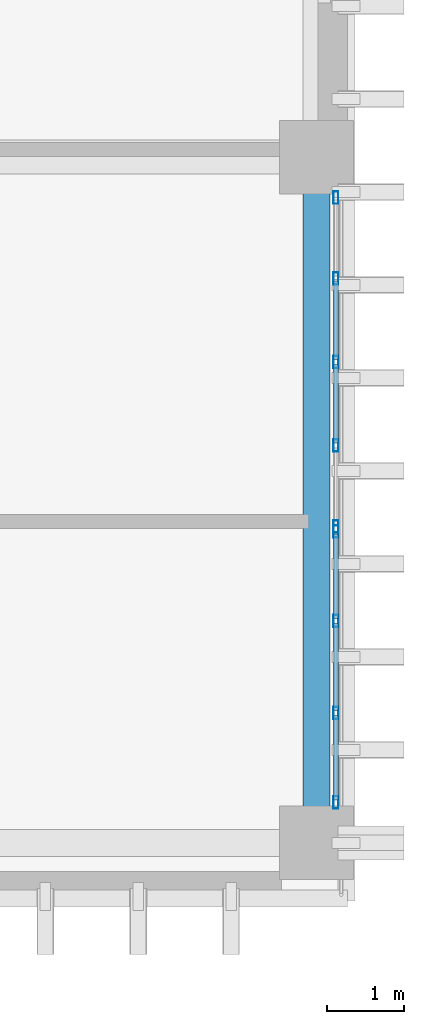
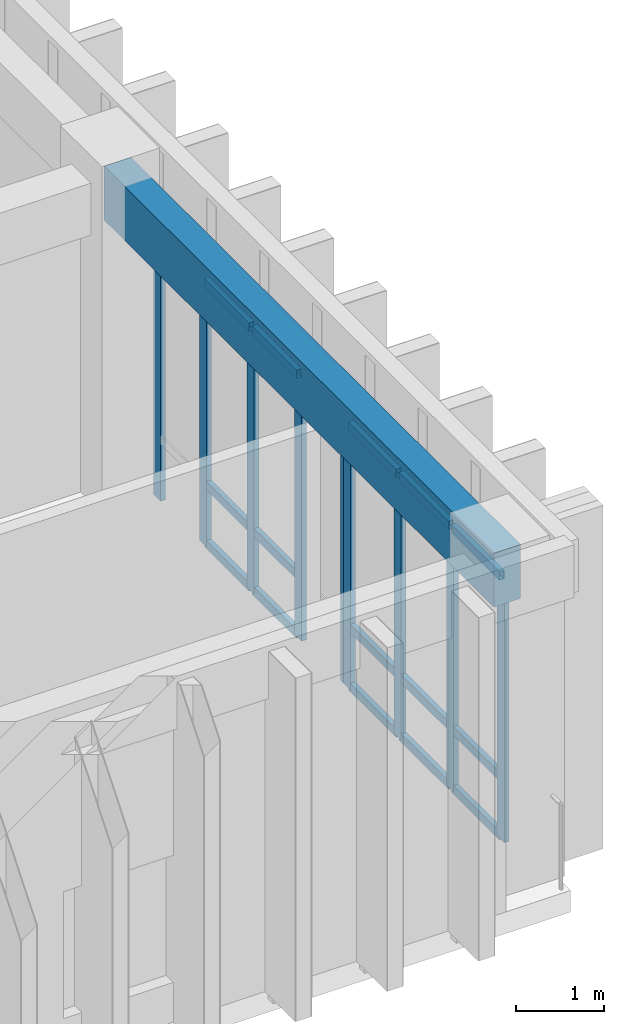
# One storey, part 57 of 133: 24 members, 1 beam, 2 elements without a shape of their own.
"""IFC4 building model written with IfcOpenShell, lengths in metres."""

from ifc_helpers import new_model, si_unit, direction, frame, origin, origin_2d, place, context, subcontext, project, spatial, rectangle, hollow_rectangle, extrude, material, layer, layer_set, material_profile, profile_set, type_object, element, aggregate, save


model = new_model("IFC4")

# Units and contexts
model_context = context("Model", 3, precision=1e-05, world=origin(), true_north=direction((0.0, 1.0)))
body_context = subcontext(model_context, "Body", "Model", "MODEL_VIEW")
ifc_project = project(units=[si_unit("LENGTHUNIT", "METRE"), si_unit("AREAUNIT", "SQUARE_METRE"), si_unit("VOLUMEUNIT", "CUBIC_METRE"), si_unit("PLANEANGLEUNIT", "RADIAN"), si_unit("MASSUNIT", "GRAM", prefix="KILO")], contexts=[model_context])

# Site, building, storey
site_placement = place(None, origin())
site = spatial("IfcSite", under=ifc_project, at=site_placement, CompositionType="ELEMENT")
building_placement = place(site_placement, origin())
building = spatial("IfcBuilding", under=site, at=building_placement, Name="Nakhvara Creek Congress Hotel", CompositionType="ELEMENT")
storey_placement = place(building_placement, frame((0.0, 0.0, 11.39990234375)))
storey = spatial("IfcBuildingStorey", under=building, at=storey_placement, Name="L02", CompositionType="ELEMENT", Elevation=11.39990234375)

# Beam
ifc_material_1 = material(Name="Concrete C40/50", Category="concrete")
ifc_material_profile_1 = material_profile(ifc_material_1, rectangle(XDim=0.35009765625, YDim=0.75, at=origin_2d()), Name="RC-SPANDREL 350x750", Category="LoadBearing")
ifc_profile_set_1 = profile_set([ifc_material_profile_1], Name="Concrete C40/50")
beam_type = type_object("IfcBeamType", Name="BM-SPN-350X750", PredefinedType="SPANDREL", material=ifc_profile_set_1)
beam_placement = place(storey_placement, frame((179.35009765625, 0.75, 4.045166015625), z_axis=(0.0, 1.0, 0.0), x_axis=(-1.0, 0.0, 0.0)))
element("IfcBeam", 1, at=beam_placement, inside=storey, type_object=beam_type, Name="Beam SP1-L02-1651", PredefinedType="SPANDREL", context=body_context, shape_type="SweptSolid", body=[
    extrude(rectangle(XDim=0.35009765625, YDim=0.75, at=origin_2d()), origin(), (0.0, 0.0, 1.0), 8.85009765625),
])

# Curtain wall, members
ifc_material_2 = material(Name="Bronze-anodised aluminium AW-6063-T6 and double-silver low-E glass", Category="aluminium")
ifc_layer = layer(ifc_material_2, 0.199951171875)
ifc_layer_set = layer_set([ifc_layer], Name="Bronze-anodised aluminium AW-6063-T6 and double-silver low-E glass")
curtain_wall_type = type_object("IfcCurtainWallType", Name="CW-HTL-UNIT", PredefinedType="USERDEFINED", material=ifc_layer_set)
curtain_wall_1_placement = place(storey_placement, origin())
curtain_wall_1 = element("IfcCurtainWall", 2, at=curtain_wall_1_placement, inside=storey, type_object=curtain_wall_type, Name="Curtain Wall CW128", ObjectType="UNITISED", PredefinedType="USERDEFINED")
ifc_material_3 = material(Name="Bronze-anodised aluminium AW-6063-T6", Category="aluminium")
ifc_material_profile_2 = material_profile(ifc_material_3, hollow_rectangle(XDim=0.06494140625, YDim=0.159912109375, WallThickness=0.00390625, at=origin_2d()), Name="ALU-MULL 65x160x4", Category="LoadBearing")
ifc_profile_set_2 = profile_set([ifc_material_profile_2], Name="Bronze-anodised aluminium AW-6063-T6")
member_type_1 = type_object("IfcMemberType", Name="CW-MULL-160", PredefinedType="MULLION", material=ifc_profile_set_2)
member_1_placement = place(storey_placement, frame((179.60009765625, 4.767578125, 0.0), z_axis=(0.0, 0.0, 1.0), x_axis=(1.0, 0.0, 0.0)))
member_1 = element("IfcMember", 3, at=member_1_placement, type_object=member_type_1, Name="CW128 mullion 1", PredefinedType="MULLION", context=body_context, shape_type="SweptSolid", body=[
    extrude(hollow_rectangle(XDim=0.06494140625, YDim=0.159912109375, WallThickness=0.00390625, at=origin_2d()), origin(), (0.0, 0.0, 1.0), 3.662109375),
])
member_2_placement = place(storey_placement, frame((179.60009765625, 3.61328125, 0.0), z_axis=(0.0, 0.0, 1.0), x_axis=(1.0, 0.0, 0.0)))
member_2 = element("IfcMember", 4, at=member_2_placement, type_object=member_type_1, Name="CW128 mullion 2", PredefinedType="MULLION", context=body_context, shape_type="SweptSolid", body=[
    extrude(hollow_rectangle(XDim=0.06494140625, YDim=0.159912109375, WallThickness=0.00390625, at=origin_2d()), origin(), (0.0, 0.0, 1.0), 3.662109375),
])
member_3_placement = place(storey_placement, frame((179.60009765625, 2.4267578125, 0.0), z_axis=(0.0, 0.0, 1.0), x_axis=(1.0, 0.0, 0.0)))
member_3 = element("IfcMember", 5, at=member_3_placement, type_object=member_type_1, Name="CW128 mullion 3", PredefinedType="MULLION", context=body_context, shape_type="SweptSolid", body=[
    extrude(hollow_rectangle(XDim=0.06494140625, YDim=0.159912109375, WallThickness=0.00390625, at=origin_2d()), origin(), (0.0, 0.0, 1.0), 3.662109375),
])
member_4_placement = place(storey_placement, frame((179.60009765625, 1.2724609375, 0.0), z_axis=(0.0, 0.0, 1.0), x_axis=(1.0, 0.0, 0.0)))
member_4 = element("IfcMember", 6, at=member_4_placement, type_object=member_type_1, Name="CW128 mullion 4", PredefinedType="MULLION", context=body_context, shape_type="SweptSolid", body=[
    extrude(hollow_rectangle(XDim=0.06494140625, YDim=0.159912109375, WallThickness=0.00390625, at=origin_2d()), origin(), (0.0, 0.0, 1.0), 3.662109375),
])

curtain_wall_2_placement = place(storey_placement, origin())
curtain_wall_2 = element("IfcCurtainWall", 7, at=curtain_wall_2_placement, inside=storey, type_object=curtain_wall_type, Name="Curtain Wall CW129", ObjectType="UNITISED", PredefinedType="USERDEFINED")
member_5_placement = place(storey_placement, frame((179.60009765625, 9.077392578125, 0.0), z_axis=(0.0, 0.0, 1.0), x_axis=(1.0, 0.0, 0.0)))
member_5 = element("IfcMember", 8, at=member_5_placement, type_object=member_type_1, Name="CW129 mullion 1", PredefinedType="MULLION", context=body_context, shape_type="SweptSolid", body=[
    extrude(hollow_rectangle(XDim=0.06494140625, YDim=0.159912109375, WallThickness=0.00390625, at=origin_2d()), origin(), (0.0, 0.0, 1.0), 3.662109375),
])
member_6_placement = place(storey_placement, frame((179.60009765625, 8.032470703125, 0.0), z_axis=(0.0, 0.0, 1.0), x_axis=(1.0, 0.0, 0.0)))
member_6 = element("IfcMember", 9, at=member_6_placement, type_object=member_type_1, Name="CW129 mullion 2", PredefinedType="MULLION", context=body_context, shape_type="SweptSolid", body=[
    extrude(hollow_rectangle(XDim=0.06494140625, YDim=0.159912109375, WallThickness=0.00390625, at=origin_2d()), origin(), (0.0, 0.0, 1.0), 3.662109375),
])
member_7_placement = place(storey_placement, frame((179.60009765625, 6.955078125, 0.0), z_axis=(0.0, 0.0, 1.0), x_axis=(1.0, 0.0, 0.0)))
member_7 = element("IfcMember", 10, at=member_7_placement, type_object=member_type_1, Name="CW129 mullion 3", PredefinedType="MULLION", context=body_context, shape_type="SweptSolid", body=[
    extrude(hollow_rectangle(XDim=0.06494140625, YDim=0.159912109375, WallThickness=0.00390625, at=origin_2d()), origin(), (0.0, 0.0, 1.0), 3.662109375),
])
member_8_placement = place(storey_placement, frame((179.60009765625, 5.87744140625, 0.0), z_axis=(0.0, 0.0, 1.0), x_axis=(1.0, 0.0, 0.0)))
member_8 = element("IfcMember", 11, at=member_8_placement, type_object=member_type_1, Name="CW129 mullion 4", PredefinedType="MULLION", context=body_context, shape_type="SweptSolid", body=[
    extrude(hollow_rectangle(XDim=0.06494140625, YDim=0.159912109375, WallThickness=0.00390625, at=origin_2d()), origin(), (0.0, 0.0, 1.0), 3.662109375),
])
member_9_placement = place(storey_placement, frame((179.60009765625, 4.83251953125, 0.0), z_axis=(0.0, 0.0, 1.0), x_axis=(1.0, 0.0, 0.0)))
member_9 = element("IfcMember", 12, at=member_9_placement, type_object=member_type_1, Name="CW129 mullion 5", PredefinedType="MULLION", context=body_context, shape_type="SweptSolid", body=[
    extrude(hollow_rectangle(XDim=0.06494140625, YDim=0.159912109375, WallThickness=0.00390625, at=origin_2d()), origin(), (0.0, 0.0, 1.0), 3.662109375),
])

# Member
ifc_material_profile_3 = material_profile(ifc_material_3, hollow_rectangle(XDim=0.06494140625, YDim=0.1201171875, WallThickness=0.00390625, at=origin_2d()), Name="ALU-TRAN 65x120x4", Category="LoadBearing")
ifc_profile_set_3 = profile_set([ifc_material_profile_3], Name="Bronze-anodised aluminium AW-6063-T6")
member_type_2 = type_object("IfcMemberType", Name="CW-TRAN-120", PredefinedType="USERDEFINED", material=ifc_profile_set_3)
member_10_placement = place(storey_placement, frame((179.60009765625, 4.735107421875, 0.03271484375), z_axis=(0.0, -1.0, 0.0), x_axis=(1.0, 0.0, 0.0)))
member_10 = element("IfcMember", 13, at=member_10_placement, type_object=member_type_2, Name="CW128 transom 1.1", ObjectType="TRANSOM", PredefinedType="USERDEFINED", context=body_context, shape_type="SweptSolid", body=[
    extrude(hollow_rectangle(XDim=0.06494140625, YDim=0.1201171875, WallThickness=0.00390625, at=origin_2d()), origin(), (0.0, 0.0, 1.0), 1.08935546875),
])

member_11_placement = place(storey_placement, frame((179.60009765625, 4.735107421875, 0.85009765625), z_axis=(0.0, -1.0, 0.0), x_axis=(1.0, 0.0, 0.0)))
member_11 = element("IfcMember", 14, at=member_11_placement, type_object=member_type_2, Name="CW128 transom 1.2", ObjectType="TRANSOM", PredefinedType="USERDEFINED", context=body_context, shape_type="SweptSolid", body=[
    extrude(hollow_rectangle(XDim=0.06494140625, YDim=0.1201171875, WallThickness=0.00390625, at=origin_2d()), origin(), (0.0, 0.0, 1.0), 1.08935546875),
])

member_12_placement = place(storey_placement, frame((179.60009765625, 4.735107421875, 3.629638671875), z_axis=(0.0, -1.0, 0.0), x_axis=(1.0, 0.0, 0.0)))
member_12 = element("IfcMember", 15, at=member_12_placement, type_object=member_type_2, Name="CW128 transom 1.3", ObjectType="TRANSOM", PredefinedType="USERDEFINED", context=body_context, shape_type="SweptSolid", body=[
    extrude(hollow_rectangle(XDim=0.06494140625, YDim=0.1201171875, WallThickness=0.00390625, at=origin_2d()), origin(), (0.0, 0.0, 1.0), 1.08935546875),
])

member_13_placement = place(storey_placement, frame((179.60009765625, 3.580810546875, 0.03271484375), z_axis=(0.0, -1.0, 0.0), x_axis=(1.0, 0.0, 0.0)))
member_13 = element("IfcMember", 16, at=member_13_placement, type_object=member_type_2, Name="CW128 transom 2.1", ObjectType="TRANSOM", PredefinedType="USERDEFINED", context=body_context, shape_type="SweptSolid", body=[
    extrude(hollow_rectangle(XDim=0.06494140625, YDim=0.1201171875, WallThickness=0.00390625, at=origin_2d()), origin(), (0.0, 0.0, 1.0), 1.12158203125),
])

member_14_placement = place(storey_placement, frame((179.60009765625, 3.580810546875, 0.85009765625), z_axis=(0.0, -1.0, 0.0), x_axis=(1.0, 0.0, 0.0)))
member_14 = element("IfcMember", 17, at=member_14_placement, type_object=member_type_2, Name="CW128 transom 2.2", ObjectType="TRANSOM", PredefinedType="USERDEFINED", context=body_context, shape_type="SweptSolid", body=[
    extrude(hollow_rectangle(XDim=0.06494140625, YDim=0.1201171875, WallThickness=0.00390625, at=origin_2d()), origin(), (0.0, 0.0, 1.0), 1.12158203125),
])

member_15_placement = place(storey_placement, frame((179.60009765625, 3.580810546875, 3.629638671875), z_axis=(0.0, -1.0, 0.0), x_axis=(1.0, 0.0, 0.0)))
member_15 = element("IfcMember", 18, at=member_15_placement, type_object=member_type_2, Name="CW128 transom 2.3", ObjectType="TRANSOM", PredefinedType="USERDEFINED", context=body_context, shape_type="SweptSolid", body=[
    extrude(hollow_rectangle(XDim=0.06494140625, YDim=0.1201171875, WallThickness=0.00390625, at=origin_2d()), origin(), (0.0, 0.0, 1.0), 1.12158203125),
])

member_16_placement = place(storey_placement, frame((179.60009765625, 2.394287109375, 0.03271484375), z_axis=(0.0, -1.0, 0.0), x_axis=(1.0, 0.0, 0.0)))
member_16 = element("IfcMember", 19, at=member_16_placement, type_object=member_type_2, Name="CW128 transom 3.1", ObjectType="TRANSOM", PredefinedType="USERDEFINED", context=body_context, shape_type="SweptSolid", body=[
    extrude(hollow_rectangle(XDim=0.06494140625, YDim=0.1201171875, WallThickness=0.00390625, at=origin_2d()), origin(), (0.0, 0.0, 1.0), 1.08935546875),
])

member_17_placement = place(storey_placement, frame((179.60009765625, 2.394287109375, 0.85009765625), z_axis=(0.0, -1.0, 0.0), x_axis=(1.0, 0.0, 0.0)))
member_17 = element("IfcMember", 20, at=member_17_placement, type_object=member_type_2, Name="CW128 transom 3.2", ObjectType="TRANSOM", PredefinedType="USERDEFINED", context=body_context, shape_type="SweptSolid", body=[
    extrude(hollow_rectangle(XDim=0.06494140625, YDim=0.1201171875, WallThickness=0.00390625, at=origin_2d()), origin(), (0.0, 0.0, 1.0), 1.08935546875),
])

member_18_placement = place(storey_placement, frame((179.60009765625, 2.394287109375, 3.629638671875), z_axis=(0.0, -1.0, 0.0), x_axis=(1.0, 0.0, 0.0)))
member_18 = element("IfcMember", 21, at=member_18_placement, type_object=member_type_2, Name="CW128 transom 3.3", ObjectType="TRANSOM", PredefinedType="USERDEFINED", context=body_context, shape_type="SweptSolid", body=[
    extrude(hollow_rectangle(XDim=0.06494140625, YDim=0.1201171875, WallThickness=0.00390625, at=origin_2d()), origin(), (0.0, 0.0, 1.0), 1.08935546875),
])

aggregate(curtain_wall_1, [member_1, member_2, member_3, member_4, member_10, member_11, member_12, member_13, member_14, member_15, member_16, member_17, member_18])

member_19_placement = place(storey_placement, frame((179.60009765625, 8.0, 0.03271484375), z_axis=(0.0, -1.0, 0.0), x_axis=(1.0, 0.0, 0.0)))
member_19 = element("IfcMember", 22, at=member_19_placement, type_object=member_type_2, Name="CW129 transom 2.1", ObjectType="TRANSOM", PredefinedType="USERDEFINED", context=body_context, shape_type="SweptSolid", body=[
    extrude(hollow_rectangle(XDim=0.06494140625, YDim=0.1201171875, WallThickness=0.00390625, at=origin_2d()), origin(), (0.0, 0.0, 1.0), 1.012451171875),
])

member_20_placement = place(storey_placement, frame((179.60009765625, 8.0, 0.85009765625), z_axis=(0.0, -1.0, 0.0), x_axis=(1.0, 0.0, 0.0)))
member_20 = element("IfcMember", 23, at=member_20_placement, type_object=member_type_2, Name="CW129 transom 2.2", ObjectType="TRANSOM", PredefinedType="USERDEFINED", context=body_context, shape_type="SweptSolid", body=[
    extrude(hollow_rectangle(XDim=0.06494140625, YDim=0.1201171875, WallThickness=0.00390625, at=origin_2d()), origin(), (0.0, 0.0, 1.0), 1.012451171875),
])

member_21_placement = place(storey_placement, frame((179.60009765625, 8.0, 3.629638671875), z_axis=(0.0, -1.0, 0.0), x_axis=(1.0, 0.0, 0.0)))
member_21 = element("IfcMember", 24, at=member_21_placement, type_object=member_type_2, Name="CW129 transom 2.3", ObjectType="TRANSOM", PredefinedType="USERDEFINED", context=body_context, shape_type="SweptSolid", body=[
    extrude(hollow_rectangle(XDim=0.06494140625, YDim=0.1201171875, WallThickness=0.00390625, at=origin_2d()), origin(), (0.0, 0.0, 1.0), 1.012451171875),
])

member_22_placement = place(storey_placement, frame((179.60009765625, 6.922607421875, 0.03271484375), z_axis=(0.0, -1.0, 0.0), x_axis=(1.0, 0.0, 0.0)))
member_22 = element("IfcMember", 25, at=member_22_placement, type_object=member_type_2, Name="CW129 transom 3.1", ObjectType="TRANSOM", PredefinedType="USERDEFINED", context=body_context, shape_type="SweptSolid", body=[
    extrude(hollow_rectangle(XDim=0.06494140625, YDim=0.1201171875, WallThickness=0.00390625, at=origin_2d()), origin(), (0.0, 0.0, 1.0), 1.0126953125),
])

member_23_placement = place(storey_placement, frame((179.60009765625, 6.922607421875, 0.85009765625), z_axis=(0.0, -1.0, 0.0), x_axis=(1.0, 0.0, 0.0)))
member_23 = element("IfcMember", 26, at=member_23_placement, type_object=member_type_2, Name="CW129 transom 3.2", ObjectType="TRANSOM", PredefinedType="USERDEFINED", context=body_context, shape_type="SweptSolid", body=[
    extrude(hollow_rectangle(XDim=0.06494140625, YDim=0.1201171875, WallThickness=0.00390625, at=origin_2d()), origin(), (0.0, 0.0, 1.0), 1.0126953125),
])

member_24_placement = place(storey_placement, frame((179.60009765625, 6.922607421875, 3.629638671875), z_axis=(0.0, -1.0, 0.0), x_axis=(1.0, 0.0, 0.0)))
member_24 = element("IfcMember", 27, at=member_24_placement, type_object=member_type_2, Name="CW129 transom 3.3", ObjectType="TRANSOM", PredefinedType="USERDEFINED", context=body_context, shape_type="SweptSolid", body=[
    extrude(hollow_rectangle(XDim=0.06494140625, YDim=0.1201171875, WallThickness=0.00390625, at=origin_2d()), origin(), (0.0, 0.0, 1.0), 1.0126953125),
])

aggregate(curtain_wall_2, [member_5, member_6, member_7, member_8, member_9, member_19, member_20, member_21, member_22, member_23, member_24])

save(model, "model.ifc")
